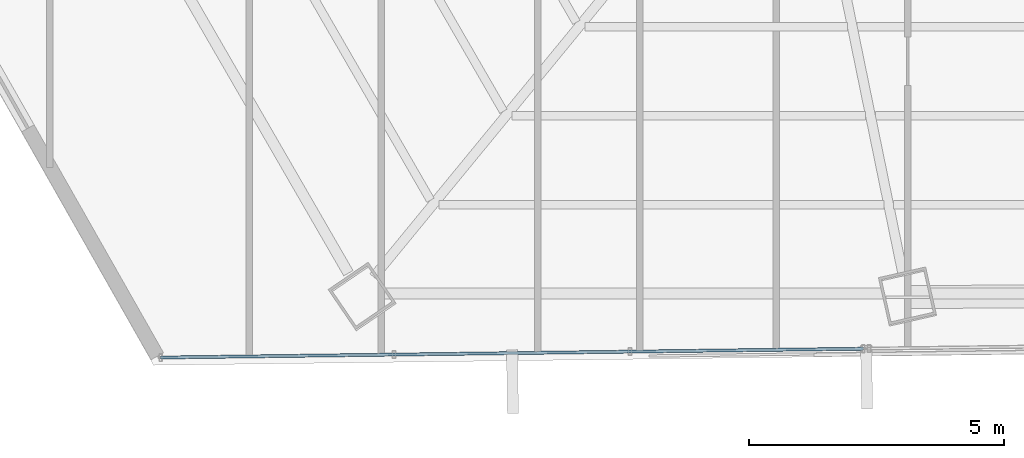
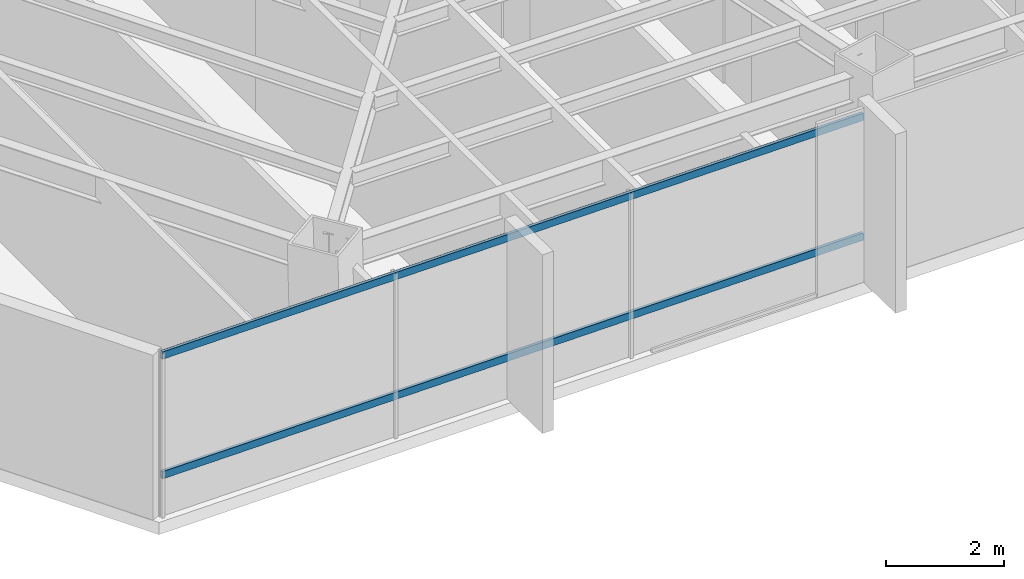
# One storey, part 3 of 42: 2 members, 1 element without a shape of its own.
"""IFC4 building model written with IfcOpenShell, lengths in metres."""

from ifc_helpers import new_model, si_unit, direction, frame, origin, origin_2d, place, context, subcontext, project, spatial, hollow_rectangle, extrude, source, transform, mapped, material, material_profile, profile_set, type_object, type_shapes, element, aggregate, save


model = new_model("IFC4")

# Units and contexts
model_context = context("Model", 3, precision=1e-05, world=origin(), true_north=direction((0.0, 1.0)))
body_context = subcontext(model_context, "Body", "Model", "MODEL_VIEW")
ifc_project = project(units=[si_unit("LENGTHUNIT", "METRE"), si_unit("AREAUNIT", "SQUARE_METRE"), si_unit("VOLUMEUNIT", "CUBIC_METRE"), si_unit("PLANEANGLEUNIT", "RADIAN"), si_unit("MASSUNIT", "GRAM", prefix="KILO")], contexts=[model_context])

# Site, building, storey
site_placement = place(None, origin())
site = spatial("IfcSite", under=ifc_project, at=site_placement, CompositionType="ELEMENT")
building_placement = place(site_placement, origin())
building = spatial("IfcBuilding", under=site, at=building_placement, Name="Caelisora Broadcast Tower", CompositionType="ELEMENT")
storey_placement = place(building_placement, frame((0.0, 0.0, 131.800048828125)))
storey = spatial("IfcBuildingStorey", under=building, at=storey_placement, Name="L34", CompositionType="ELEMENT", Elevation=131.800048828125)

# Curtain wall, members
ifc_material_1 = material(Name="Unitised Aluminium and Low-E Glass Curtain Wall", Category="glass")
curtain_wall_type = type_object("IfcCurtainWallType", Name="CW-Z3", PredefinedType="NOTDEFINED", material=ifc_material_1)
curtain_wall_placement = place(storey_placement, origin())
curtain_wall = element("IfcCurtainWall", 1, at=curtain_wall_placement, inside=storey, type_object=curtain_wall_type, Name="L34 curtain wall CW-Z3", PredefinedType="NOTDEFINED")
ifc_material_2 = material(Name="Aluminium 6063-T6 Anodised Terracotta Bronze", Category="aluminium")
ifc_material_profile = material_profile(ifc_material_2, hollow_rectangle(XDim=0.06005859375, YDim=0.14990234375, WallThickness=0.00341796875, at=origin_2d()), Name="Aluminium 6063-T6 Anodised Terracotta Bronze")
ifc_profile_set = profile_set([ifc_material_profile], Name="Aluminium 6063-T6 Anodised Terracotta Bronze")
member_type = type_object("IfcMemberType", Name="CWT-02", PredefinedType="USERDEFINED", material=ifc_profile_set)
shared_shape = source(origin(), body_context, "Body", "SweptSolid", [
    extrude(hollow_rectangle(XDim=0.06005859375, YDim=0.14990234375, WallThickness=0.00341796875, at=origin_2d()), origin(), (0.0, 0.0, 1.0), 13.786376953125),
])
type_shapes(member_type, [shared_shape])
member_1_placement = place(storey_placement, frame((31.787353515625, 5.852783203125, 0.849853515625), z_axis=(-0.999921177091, -0.012555461163, 0.0), x_axis=(0.012555461163, -0.999921177091, 0.0)))
member_1 = element("IfcMember", 2, at=member_1_placement, type_object=member_type, Name="L34-CW-B07 transom #1", ObjectType="TRANSOM", PredefinedType="USERDEFINED", context=body_context, shape_type="MappedRepresentation", body=[
    mapped(shared_shape, transform((0.0, 0.0, 0.0), scale=1.0)),
])
member_2_placement = place(storey_placement, frame((31.787353515625, 5.852783203125, 3.320068359375), z_axis=(-0.999921177091, -0.012555461163, 0.0), x_axis=(0.012555461163, -0.999921177091, 0.0)))
member_2 = element("IfcMember", 3, at=member_2_placement, type_object=member_type, Name="L34-CW-B07 transom #2", ObjectType="TRANSOM", PredefinedType="USERDEFINED", context=body_context, shape_type="MappedRepresentation", body=[
    mapped(shared_shape, transform((0.0, 0.0, 0.0), scale=1.0)),
])
aggregate(curtain_wall, [member_1, member_2])

save(model, "model.ifc")
